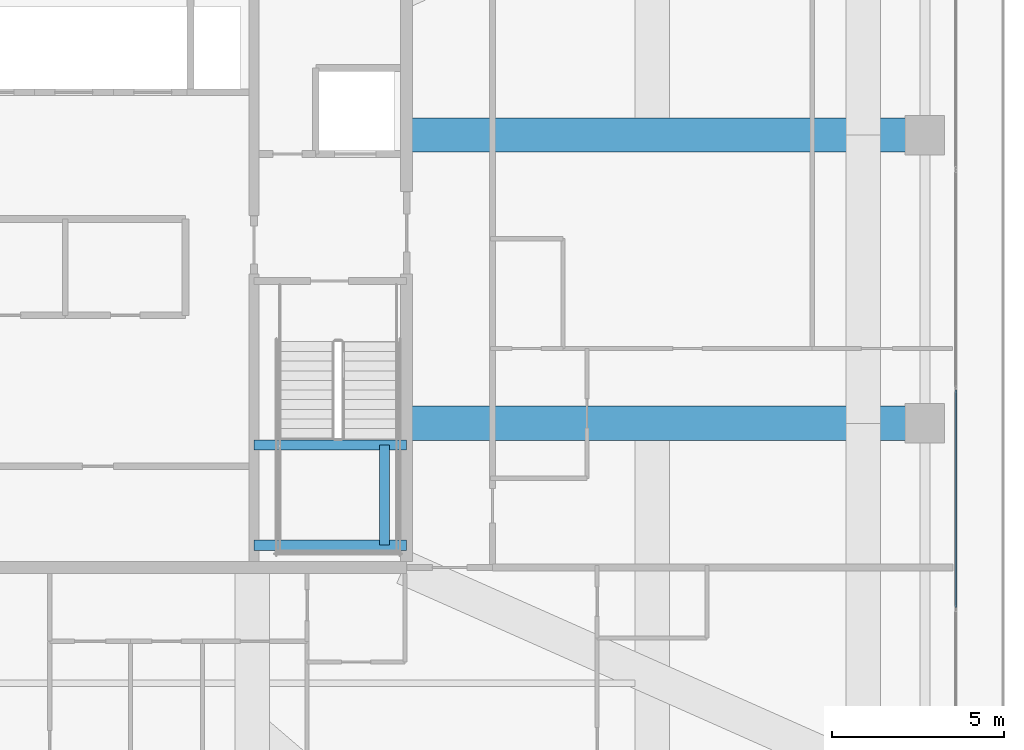
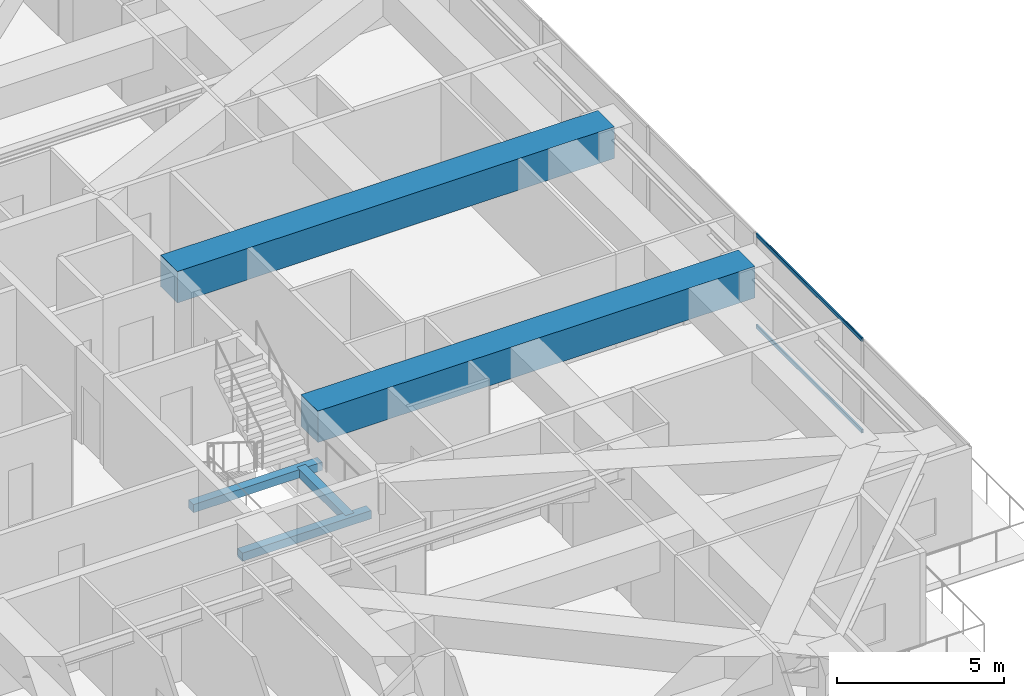
# One storey, part 18 of 39: 5 beams, 2 members, 1 element without a shape of its own.
"""IFC4 building model written with IfcOpenShell, lengths in metres."""

from ifc_helpers import new_model, si_unit, direction, frame, origin, origin_2d, place, context, subcontext, project, spatial, rectangle, hollow_rectangle, extrude, source, transform, mapped, material, layer, layer_set, material_profile, profile_set, type_object, element, aggregate, save


model = new_model("IFC4")

# Units and contexts
model_context = context("Model", 3, precision=1e-05, world=origin(), true_north=direction((0.0, 1.0)))
body_context = subcontext(model_context, "Body", "Model", "MODEL_VIEW")
ifc_project = project(units=[si_unit("LENGTHUNIT", "METRE"), si_unit("AREAUNIT", "SQUARE_METRE"), si_unit("VOLUMEUNIT", "CUBIC_METRE"), si_unit("PLANEANGLEUNIT", "RADIAN"), si_unit("MASSUNIT", "GRAM", prefix="KILO")], contexts=[model_context])

# Site, building, storey
site_placement = place(None, origin())
site = spatial("IfcSite", under=ifc_project, at=site_placement, CompositionType="ELEMENT")
building_placement = place(site_placement, origin())
building = spatial("IfcBuilding", under=site, at=building_placement, Name="Serunith Strait Residences", CompositionType="ELEMENT")
storey_placement = place(building_placement, frame((0.0, 0.0, 283.60009765625)))
storey = spatial("IfcBuildingStorey", under=building, at=storey_placement, Name="L71", CompositionType="ELEMENT", Elevation=283.60009765625)

# Beams
ifc_material_1 = material(Name="Concrete C80/95", Category="concrete")
ifc_material_profile_1 = material_profile(ifc_material_1, rectangle(XDim=1.0, YDim=1.14990234375, at=origin_2d()), Name="RC 1000x1150")
ifc_profile_set_1 = profile_set([ifc_material_profile_1], Name="Concrete C80/95")
beam_type_1 = type_object("IfcBeamType", Name="BM-XFER-1000x1150", PredefinedType="BEAM", material=ifc_profile_set_1)
shared_shape_1 = source(origin(), body_context, "Body", "SweptSolid", [
    extrude(rectangle(XDim=1.0, YDim=1.14990234375, at=origin_2d()), origin(), (0.0, 0.0, 1.0), 15.10009765625),
])
for number, where, z_axis, x_axis, name in (
    (1, (41.39990234375, 21.0, 2.8349609375), (1.0, 0.0, 0.0), (0.0, 1.0, 0.0), "L71 Primary Floor Girder TC-E2"),
    (2, (41.39990234375, 29.39990234375, 2.8349609375), (1.0, 0.0, 0.0), (0.0, 1.0, 0.0), "L71 Primary Floor Girder TC-E3"),
):
    element("IfcBeam", number, at=place(storey_placement, frame(where, z_axis=z_axis, x_axis=x_axis)), inside=storey, type_object=beam_type_1, Name=name, PredefinedType="BEAM", context=body_context, shape_type="MappedRepresentation", body=[
        mapped(shared_shape_1, transform((0.0, 0.0, 0.0), scale=1.0)),
    ])
ifc_material_2 = material(Name="Concrete C60/75", Category="concrete")
ifc_material_profile_2 = material_profile(ifc_material_2, rectangle(XDim=0.300048828125, YDim=0.300048828125, at=origin_2d()), Name="RC 300x300")
ifc_profile_set_2 = profile_set([ifc_material_profile_2], Name="Concrete C60/75")
beam_type_2 = type_object("IfcBeamType", Name="BM-LAND-300x300", PredefinedType="BEAM", material=ifc_profile_set_2)
shared_shape_2 = source(origin(), body_context, "Body", "SweptSolid", [
    extrude(rectangle(XDim=0.300048828125, YDim=0.300048828125, at=origin_2d()), origin(), (0.0, 0.0, 1.0), 4.449951171875),
])
for number, where, z_axis, x_axis, name in (
    (3, (36.949951171875, 17.449951171875, 1.574951171875), (1.0, 0.0, 0.0), (0.0, 1.0, 0.0), "L71 ST-2 Landing Support Beam 1"),
    (4, (36.949951171875, 20.3701171875, 1.574951171875), (1.0, 0.0, 0.0), (0.0, 1.0, 0.0), "L71 ST-2 Landing Support Beam 2"),
):
    element("IfcBeam", number, at=place(storey_placement, frame(where, z_axis=z_axis, x_axis=x_axis)), inside=storey, type_object=beam_type_2, Name=name, PredefinedType="BEAM", context=body_context, shape_type="MappedRepresentation", body=[
        mapped(shared_shape_2, transform((0.0, 0.0, 0.0), scale=1.0)),
    ])
shared_shape_3 = source(origin(), body_context, "Body", "SweptSolid", [
    extrude(rectangle(XDim=0.300048828125, YDim=0.300048828125, at=origin_2d()), origin(), (0.0, 0.0, 1.0), 2.920166015625),
])
beam_placement = place(storey_placement, frame((40.75, 17.449951171875, 1.574951171875), z_axis=(0.0, 1.0, 0.0), x_axis=(-1.0, 0.0, 0.0)))
element("IfcBeam", 5, at=beam_placement, inside=storey, type_object=beam_type_2, Name="L71 ST-2 Landing Transverse Tie Beam", PredefinedType="BEAM", context=body_context, shape_type="MappedRepresentation", body=[
    mapped(shared_shape_3, transform((0.0, 0.0, 0.0), scale=1.0)),
])

# Curtain wall, members
ifc_material_3 = material(Name="Pale-Champagne Anodised Aluminium", Category="aluminium")
ifc_layer = layer(ifc_material_3, 0.199951171875, Name="Pale-Champagne Anodised Aluminium")
ifc_layer_set = layer_set([ifc_layer], Name="Pale-Champagne Anodised Aluminium")
curtain_wall_type = type_object("IfcCurtainWallType", Name="CW-SYS4", PredefinedType="NOTDEFINED", material=ifc_layer_set)
curtain_wall_placement = place(storey_placement, origin())
curtain_wall = element("IfcCurtainWall", 6, at=curtain_wall_placement, inside=storey, type_object=curtain_wall_type, Name="L71 E Unitised Fritted Curtain Wall", PredefinedType="NOTDEFINED")
ifc_material_profile_3 = material_profile(ifc_material_3, hollow_rectangle(XDim=0.06005859375, YDim=0.139892578125, WallThickness=0.00341796875, InnerFilletRadius=0.00537109375, OuterFilletRadius=0.0087890625, at=origin_2d()), Name="ALU 140x60x3.5")
ifc_profile_set_3 = profile_set([ifc_material_profile_3], Name="Pale-Champagne Anodised Aluminium")
member_type = type_object("IfcMemberType", Name="CW-SYS4-TRAN", PredefinedType="USERDEFINED", material=ifc_profile_set_3)
shared_shape_4 = source(origin(), body_context, "Body", "SweptSolid", [
    extrude(hollow_rectangle(XDim=0.06005859375, YDim=0.139892578125, WallThickness=0.00341796875, InnerFilletRadius=0.00537109375, OuterFilletRadius=0.0087890625, at=origin_2d()), origin(), (0.0, 0.0, 1.0), 6.3349609375),
])
member_1_placement = place(storey_placement, frame((57.39990234375, 15.632568359375, 0.02978515625), z_axis=(0.0, 1.0, 0.0), x_axis=(-1.0, 0.0, 0.0)))
member_1 = element("IfcMember", 7, at=member_1_placement, type_object=member_type, Name="CW-4 transom 2.1", ObjectType="TRANSOM", PredefinedType="USERDEFINED", context=body_context, shape_type="MappedRepresentation", body=[
    mapped(shared_shape_4, transform((0.0, 0.0, 0.0), scale=1.0)),
])
member_2_placement = place(storey_placement, frame((57.39990234375, 15.632568359375, 3.364990234375), z_axis=(0.0, 1.0, 0.0), x_axis=(-1.0, 0.0, 0.0)))
member_2 = element("IfcMember", 8, at=member_2_placement, type_object=member_type, Name="CW-4 transom 2.2", ObjectType="TRANSOM", PredefinedType="USERDEFINED", context=body_context, shape_type="MappedRepresentation", body=[
    mapped(shared_shape_4, transform((0.0, 0.0, 0.0), scale=1.0)),
])
aggregate(curtain_wall, [member_1, member_2])

save(model, "model.ifc")
